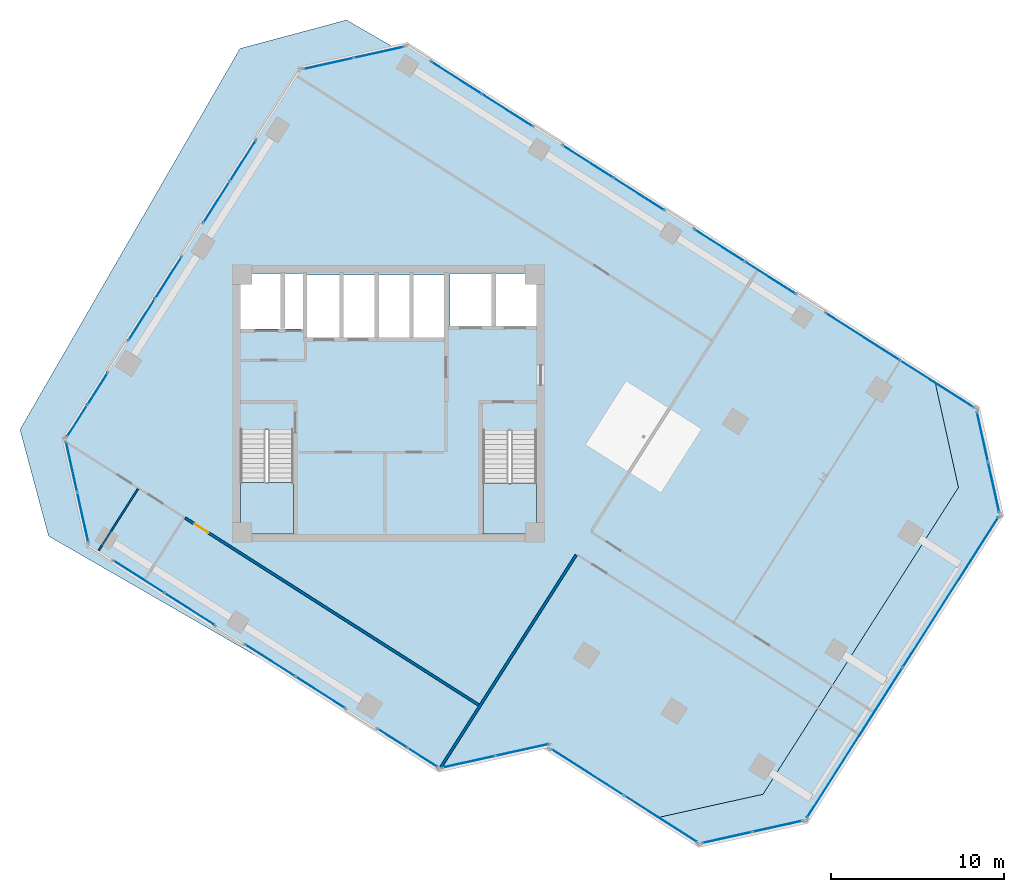
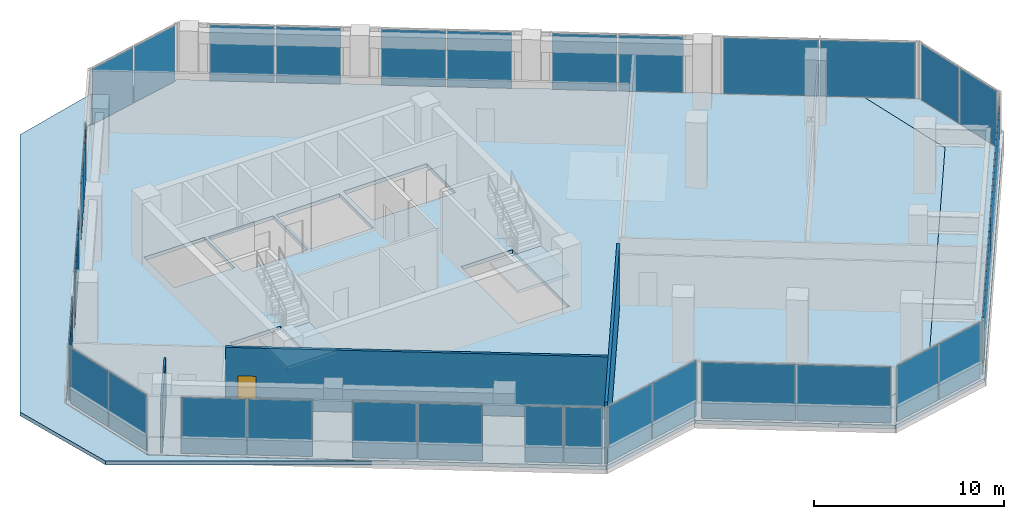
# One storey, part 17 of 23: 34 plates, 5 slabs, 3 walls, 1 door, 1 opening, 19 elements without a shape of their own.
"""IFC4 building model written with IfcOpenShell, lengths in metres."""

from ifc_helpers import new_model, si_unit, direction, frame, frame_2d, origin, origin_2d, place, context, subcontext, project, spatial, polyline, rectangle, outline, extrude, source, transform, mapped, material, layer, layer_set, type_object, element, fill, aggregate, save


model = new_model("IFC4")

# Units and contexts
model_context = context("Model", 3, precision=1e-05, world=origin(), true_north=direction((0.0, 1.0)))
body_context = subcontext(model_context, "Body", "Model", "MODEL_VIEW")
ifc_project = project(units=[si_unit("LENGTHUNIT", "METRE"), si_unit("AREAUNIT", "SQUARE_METRE"), si_unit("VOLUMEUNIT", "CUBIC_METRE"), si_unit("PLANEANGLEUNIT", "RADIAN"), si_unit("MASSUNIT", "GRAM", prefix="KILO")], contexts=[model_context])

# Site, building, storey
site_placement = place(None, origin())
site = spatial("IfcSite", under=ifc_project, at=site_placement, CompositionType="ELEMENT")
building_placement = place(site_placement, origin())
building = spatial("IfcBuilding", under=site, at=building_placement, Name="Torre Montelarca", CompositionType="ELEMENT")
storey_placement = place(building_placement, frame((0.0, 0.0, 187.60009765625)))
storey = spatial("IfcBuildingStorey", under=building, at=storey_placement, Name="L42", CompositionType="ELEMENT", Elevation=187.60009765625)

# Slabs
ifc_material_1 = material(Name="Concrete C40/50", Category="concrete")
ifc_layer_1 = layer(ifc_material_1, 0.239990234375, Name="Concrete C40/50", Category="concrete")
ifc_layer_set_1 = layer_set([ifc_layer_1], Name="Concrete C40/50")
slab_type_1 = type_object("IfcSlabType", Name="SL-FLR-240", PredefinedType="FLOOR", material=ifc_layer_set_1)
slab_1_placement = place(storey_placement, frame((0.0, 0.0, -0.239990234375)))
element("IfcSlab", 1, at=slab_1_placement, inside=storey, type_object=slab_type_1, Name="L42 Structural Floor Slab", PredefinedType="FLOOR", context=body_context, shape_type="SweptSolid", body=[
    extrude(outline(polyline([(20.9140625, 10.793701171875), (27.127197265625, 12.171142578125), (27.073486328125, 12.0869140625), (33.39892578125, 8.056884765625), (39.612060546875, 9.4345703125), (50.895263671875, 27.145751953125), (49.517822265625, 33.35888671875), (19.071533203125, 52.75537109375), (12.8583984375, 51.3779296875), (-0.7890625, 29.955810546875), (0.58837890625, 23.74267578125), (20.9140625, 10.793701171875)]), holes=[polyline([(26.550048828125, 24.449951171875), (23.43994140625, 24.449951171875), (23.43994140625, 30.429931640625), (26.550048828125, 30.429931640625), (26.550048828125, 24.449951171875)]), polyline([(9.449951171875, 24.449951171875), (9.449951171875, 30.4599609375), (12.5, 30.4599609375), (12.5, 24.449951171875), (9.449951171875, 24.449951171875)]), polyline([(17.25, 35.800048828125), (13.300048828125, 35.800048828125), (13.300048828125, 39.39990234375), (17.25, 39.39990234375), (17.25, 35.800048828125)]), polyline([(21.25, 39.39990234375), (21.25, 35.800048828125), (17.39990234375, 35.800048828125), (17.39990234375, 39.39990234375), (21.25, 39.39990234375)]), polyline([(13.1201171875, 36.300048828125), (9.449951171875, 36.300048828125), (9.449951171875, 39.5), (13.1201171875, 39.5), (13.1201171875, 36.300048828125)]), polyline([(26.60009765625, 36.449951171875), (21.550048828125, 36.449951171875), (21.550048828125, 39.5), (26.60009765625, 39.5), (26.60009765625, 36.449951171875)])]), origin(), (0.0, 0.0, 1.0), 0.239990234375),
])
slab_2_placement = place(storey_placement, frame((0.0, 0.0, -0.239990234375)))
element("IfcSlab", 2, at=slab_2_placement, inside=storey, type_object=slab_type_1, Name="L42 Sliding Tray Winter Garden Floor Slab E1", PredefinedType="FLOOR", context=body_context, shape_type="SweptSolid", body=[
    extrude(outline(polyline([(49.517822265625, 33.35888671875), (50.895263671875, 27.145751953125), (39.612060546875, 9.4345703125), (33.39892578125, 8.056884765625), (35.92919921875, 6.445068359375), (42.14208984375, 7.822509765625), (53.425537109375, 25.53369140625), (52.048095703125, 31.746826171875), (49.517822265625, 33.35888671875)])), origin(), (0.0, 0.0, 1.0), 0.239990234375),
])
ifc_material_2 = material(Name="Architectural concrete C40/50", Category="concrete")
ifc_layer_2 = layer(ifc_material_2, 0.239990234375, Name="Architectural concrete C40/50", Category="concrete")
ifc_layer_set_2 = layer_set([ifc_layer_2], Name="Architectural concrete C40/50")
slab_type_2 = type_object("IfcSlabType", Name="SL-ROOF-EXT-240", PredefinedType="ROOF", material=ifc_layer_set_2)
slab_3_placement = place(storey_placement, frame((0.0, 0.0, -0.239990234375)))
element("IfcSlab", 3, at=slab_3_placement, inside=storey, type_object=slab_type_2, Name="L41 Setback and Tray Overhang Roof Cap Slab 01", PredefinedType="ROOF", context=body_context, shape_type="SweptSolid", body=[
    extrude(outline(polyline([(0.581298828125, 23.737548828125), (-0.797607421875, 29.957275390625), (12.853515625, 51.385009765625), (18.25146484375, 52.581787109375), (15.5703125, 54.129638671875), (9.42333984375, 52.482421875), (-3.276611328125, 30.485595703125), (-1.629638671875, 24.33837890625), (11.8974609375, 16.528564453125), (0.581298828125, 23.737548828125)])), origin(), (0.0, 0.0, 1.0), 0.239990234375),
])

# Stair, slab
stair_type_1 = type_object("IfcStairType", Name="ST-CORE-ST1", PredefinedType="HALF_TURN_STAIR", material=ifc_material_1)
stair_1_placement = place(storey_placement, origin())
stair_1 = element("IfcStair", 4, at=stair_1_placement, inside=storey, type_object=stair_type_1, Name="L42 Protected Exit Stair ST1", PredefinedType="HALF_TURN_STAIR")
ifc_layer_3 = layer(ifc_material_1, 0.199951171875, Name="Concrete C40/50", Category="concrete")
ifc_layer_set_3 = layer_set([ifc_layer_3], Name="Concrete C40/50")
slab_type_3 = type_object("IfcSlabType", Name="SL-ST-LAND-ST1", PredefinedType="LANDING", material=ifc_layer_set_3)
slab_4_placement = place(storey_placement, frame((0.0, 0.0, 1.89990234375)))
slab_4 = element("IfcSlab", 5, at=slab_4_placement, type_object=slab_type_3, Name="ST1 landing 1", PredefinedType="LANDING", context=body_context, shape_type="SweptSolid", body=[
    extrude(outline(polyline([(9.449951171875, 27.419921875), (9.449951171875, 24.449951171875), (12.5, 24.449951171875), (12.5, 27.419921875), (9.449951171875, 27.419921875)])), origin(), (0.0, 0.0, 1.0), 0.199951171875),
])
aggregate(stair_1, [slab_4])

stair_type_2 = type_object("IfcStairType", Name="ST-CORE-ST2", PredefinedType="HALF_TURN_STAIR", material=ifc_material_1)
stair_2_placement = place(storey_placement, origin())
stair_2 = element("IfcStair", 6, at=stair_2_placement, inside=storey, type_object=stair_type_2, Name="L42 Protected Exit Stair ST2", PredefinedType="HALF_TURN_STAIR")
ifc_layer_4 = layer(ifc_material_1, 0.199951171875, Name="Concrete C40/50", Category="concrete")
ifc_layer_set_4 = layer_set([ifc_layer_4], Name="Concrete C40/50")
slab_type_4 = type_object("IfcSlabType", Name="SL-ST-LAND-ST2", PredefinedType="LANDING", material=ifc_layer_set_4)
slab_5_placement = place(storey_placement, frame((0.0, 0.0, 1.89990234375)))
slab_5 = element("IfcSlab", 7, at=slab_5_placement, type_object=slab_type_4, Name="ST2 landing 1", PredefinedType="LANDING", context=body_context, shape_type="SweptSolid", body=[
    extrude(outline(polyline([(23.43994140625, 27.389892578125), (23.43994140625, 24.449951171875), (26.550048828125, 24.449951171875), (26.550048828125, 27.389892578125), (23.43994140625, 27.389892578125)])), origin(), (0.0, 0.0, 1.0), 0.199951171875),
])
aggregate(stair_2, [slab_5])

# Curtain wall, plates
ifc_material_3 = material(Name="Insulated low-E laminated glass", Category="glass")
curtain_wall_type = type_object("IfcCurtainWallType", Name="CW-SYS-Z2", PredefinedType="USERDEFINED", material=ifc_material_3)
curtain_wall_1_placement = place(storey_placement, origin())
curtain_wall_1 = element("IfcCurtainWall", 8, at=curtain_wall_1_placement, inside=storey, type_object=curtain_wall_type, Name="L42 Curtain Wall Run CW-T3-L42-E05-B1", ObjectType="UNITISED GLAZING", PredefinedType="USERDEFINED")
ifc_layer_5 = layer(ifc_material_3, 0.031982421875, Name="Insulated low-E laminated glass", Category="glass")
ifc_layer_set_5 = layer_set([ifc_layer_5], Name="Insulated low-E laminated glass")
plate_type = type_object("IfcPlateType", Name="CWP-GLZ-32", PredefinedType="CURTAIN_PANEL", material=ifc_layer_set_5)
shared_shape_1 = source(origin(), body_context, "Body", "SweptSolid", [
    extrude(rectangle(XDim=2.918701171875, YDim=0.031982421875, at=origin_2d()), origin(), (0.0, 0.0, 1.0), 3.590087890625),
])
plate_1_placement = place(storey_placement, frame((37.551025390625, 6.93798828125, 0.06494140625), z_axis=(0.0, 0.0, 1.0), x_axis=(0.976290701569, 0.216463544344, 0.0)))
plate_1 = element("IfcPlate", 9, at=plate_1_placement, type_object=plate_type, Name="CW panel 1.1", PredefinedType="CURTAIN_PANEL", context=body_context, shape_type="MappedRepresentation", body=[
    mapped(shared_shape_1, transform((0.0, 0.0, 0.0), scale=1.0)),
])
plate_2_placement = place(storey_placement, frame((40.4638671875, 7.583740234375, 0.06494140625), z_axis=(0.0, 0.0, 1.0), x_axis=(0.976290701569, 0.216463544344, 0.0)))
plate_2 = element("IfcPlate", 10, at=plate_2_placement, type_object=plate_type, Name="CW panel 2.1", PredefinedType="CURTAIN_PANEL", context=body_context, shape_type="MappedRepresentation", body=[
    mapped(shared_shape_1, transform((0.0, 0.0, 0.0), scale=1.0)),
])
aggregate(curtain_wall_1, [plate_1, plate_2])

curtain_wall_2_placement = place(storey_placement, origin())
curtain_wall_2 = element("IfcCurtainWall", 11, at=curtain_wall_2_placement, inside=storey, type_object=curtain_wall_type, Name="L42 Curtain Wall Run CW-T3-L42-E07-B1", ObjectType="UNITISED GLAZING", PredefinedType="USERDEFINED")
plate_3_placement = place(storey_placement, frame((52.932861328125, 27.15576171875, 0.06494140625), z_axis=(0.0, 0.0, 1.0), x_axis=(-0.216447743923, 0.97629420471, 0.0)))
plate_3 = element("IfcPlate", 12, at=plate_3_placement, type_object=plate_type, Name="CW panel 1.1", PredefinedType="CURTAIN_PANEL", context=body_context, shape_type="MappedRepresentation", body=[
    mapped(shared_shape_1, transform((0.0, 0.0, 0.0), scale=1.0)),
])
plate_4_placement = place(storey_placement, frame((52.286865234375, 30.068603515625, 0.06494140625), z_axis=(0.0, 0.0, 1.0), x_axis=(-0.216447743923, 0.97629420471, 0.0)))
plate_4 = element("IfcPlate", 13, at=plate_4_placement, type_object=plate_type, Name="CW panel 2.1", PredefinedType="CURTAIN_PANEL", context=body_context, shape_type="MappedRepresentation", body=[
    mapped(shared_shape_1, transform((0.0, 0.0, 0.0), scale=1.0)),
])
aggregate(curtain_wall_2, [plate_3, plate_4])

curtain_wall_3_placement = place(storey_placement, origin())
curtain_wall_3 = element("IfcCurtainWall", 14, at=curtain_wall_3_placement, inside=storey, type_object=curtain_wall_type, Name="L42 Curtain Wall Run CW-T3-L42-E09-B1", ObjectType="UNITISED GLAZING", PredefinedType="USERDEFINED")
plate_5_placement = place(storey_placement, frame((17.44970703125, 52.262451171875, 0.06494140625), z_axis=(0.0, 0.0, 1.0), x_axis=(-0.97629420471, -0.216447743923, 0.0)))
plate_5 = element("IfcPlate", 15, at=plate_5_placement, type_object=plate_type, Name="CW panel 1.1", PredefinedType="CURTAIN_PANEL", context=body_context, shape_type="MappedRepresentation", body=[
    mapped(shared_shape_1, transform((0.0, 0.0, 0.0), scale=1.0)),
])
plate_6_placement = place(storey_placement, frame((14.53662109375, 51.61669921875, 0.06494140625), z_axis=(0.0, 0.0, 1.0), x_axis=(-0.97629420471, -0.216447743923, 0.0)))
plate_6 = element("IfcPlate", 16, at=plate_6_placement, type_object=plate_type, Name="CW panel 2.1", PredefinedType="CURTAIN_PANEL", context=body_context, shape_type="MappedRepresentation", body=[
    mapped(shared_shape_1, transform((0.0, 0.0, 0.0), scale=1.0)),
])
aggregate(curtain_wall_3, [plate_5, plate_6])

curtain_wall_4_placement = place(storey_placement, origin())
curtain_wall_4 = element("IfcCurtainWall", 17, at=curtain_wall_4_placement, inside=storey, type_object=curtain_wall_type, Name="L42 Curtain Wall Run CW-T3-L42-E11-B1", ObjectType="UNITISED GLAZING", PredefinedType="USERDEFINED")
plate_7_placement = place(storey_placement, frame((-0.296142578125, 28.333740234375, 0.06494140625), z_axis=(0.0, 0.0, 1.0), x_axis=(0.216447743923, -0.97629420471, 0.0)))
plate_7 = element("IfcPlate", 18, at=plate_7_placement, type_object=plate_type, Name="CW panel 1.1", PredefinedType="CURTAIN_PANEL", context=body_context, shape_type="MappedRepresentation", body=[
    mapped(shared_shape_1, transform((0.0, 0.0, 0.0), scale=1.0)),
])
plate_8_placement = place(storey_placement, frame((0.349609375, 25.4208984375, 0.06494140625), z_axis=(0.0, 0.0, 1.0), x_axis=(0.216447743923, -0.97629420471, 0.0)))
plate_8 = element("IfcPlate", 19, at=plate_8_placement, type_object=plate_type, Name="CW panel 2.1", PredefinedType="CURTAIN_PANEL", context=body_context, shape_type="MappedRepresentation", body=[
    mapped(shared_shape_1, transform((0.0, 0.0, 0.0), scale=1.0)),
])
aggregate(curtain_wall_4, [plate_7, plate_8])

curtain_wall_5_placement = place(storey_placement, origin())
curtain_wall_5 = element("IfcCurtainWall", 20, at=curtain_wall_5_placement, inside=storey, type_object=curtain_wall_type, Name="L42 Curtain Wall Run CW-T3-L42-E02-B1", ObjectType="UNITISED GLAZING", PredefinedType="USERDEFINED")
shared_shape_2 = source(origin(), body_context, "Body", "SweptSolid", [
    extrude(rectangle(XDim=3.1025390625, YDim=0.031982421875, at=origin_2d()), origin(), (0.0, 0.0, 1.0), 3.590087890625),
])
plate_9_placement = place(storey_placement, frame((22.625732421875, 11.306396484375, 0.06494140625), z_axis=(0.0, 0.0, 1.0), x_axis=(0.976297226407, 0.216434114018, 0.0)))
plate_9 = element("IfcPlate", 21, at=plate_9_placement, type_object=plate_type, Name="CW panel 1.1", PredefinedType="CURTAIN_PANEL", context=body_context, shape_type="MappedRepresentation", body=[
    mapped(shared_shape_2, transform((0.0, 0.0, 0.0), scale=1.0)),
])
plate_10_placement = place(storey_placement, frame((25.71826171875, 11.991943359375, 0.06494140625), z_axis=(0.0, 0.0, 1.0), x_axis=(0.976297226407, 0.216434114018, 0.0)))
plate_10 = element("IfcPlate", 22, at=plate_10_placement, type_object=plate_type, Name="CW panel 2.1", PredefinedType="CURTAIN_PANEL", context=body_context, shape_type="MappedRepresentation", body=[
    mapped(shared_shape_2, transform((0.0, 0.0, 0.0), scale=1.0)),
])
aggregate(curtain_wall_5, [plate_9, plate_10])

curtain_wall_6_placement = place(storey_placement, origin())
curtain_wall_6 = element("IfcCurtainWall", 23, at=curtain_wall_6_placement, inside=storey, type_object=curtain_wall_type, Name="L42 Curtain Wall Run CW-T3-L42-E10-B1", ObjectType="UNITISED GLAZING", PredefinedType="USERDEFINED")
shared_shape_3 = source(origin(), body_context, "Body", "SweptSolid", [
    extrude(rectangle(XDim=2.7724609375, YDim=0.031982421875, at=origin_2d()), origin(), (0.0, 0.0, 1.0), 3.590087890625),
])
plate_11_placement = place(storey_placement, frame((9.59326171875, 46.010498046875, 0.06494140625), z_axis=(0.0, 0.0, 1.0), x_axis=(-0.537304920578, -0.843388061525, 0.0)))
plate_11 = element("IfcPlate", 24, at=plate_11_placement, type_object=plate_type, Name="CW panel 1.1", PredefinedType="CURTAIN_PANEL", context=body_context, shape_type="MappedRepresentation", body=[
    mapped(shared_shape_3, transform((0.0, 0.0, 0.0), scale=1.0)),
])
plate_12_placement = place(storey_placement, frame((8.068603515625, 43.617431640625, 0.06494140625), z_axis=(0.0, 0.0, 1.0), x_axis=(-0.537304920578, -0.843388061525, 0.0)))
plate_12 = element("IfcPlate", 25, at=plate_12_placement, type_object=plate_type, Name="CW panel 2.1", PredefinedType="CURTAIN_PANEL", context=body_context, shape_type="MappedRepresentation", body=[
    mapped(shared_shape_3, transform((0.0, 0.0, 0.0), scale=1.0)),
])
aggregate(curtain_wall_6, [plate_11, plate_12])

curtain_wall_7_placement = place(storey_placement, origin())
curtain_wall_7 = element("IfcCurtainWall", 26, at=curtain_wall_7_placement, inside=storey, type_object=curtain_wall_type, Name="L42 Curtain Wall Run CW-T3-L42-E10-B2", ObjectType="UNITISED GLAZING", PredefinedType="USERDEFINED")
shared_shape_4 = source(origin(), body_context, "Body", "SweptSolid", [
    extrude(rectangle(XDim=2.81005859375, YDim=0.031982421875, at=origin_2d()), origin(), (0.0, 0.0, 1.0), 3.590087890625),
])
plate_13_placement = place(storey_placement, frame((5.28466796875, 39.24755859375, 0.06494140625), z_axis=(0.0, 0.0, 1.0), x_axis=(-0.537301604651, -0.843390174023, 0.0)))
plate_13 = element("IfcPlate", 27, at=plate_13_placement, type_object=plate_type, Name="CW panel 1.1", PredefinedType="CURTAIN_PANEL", context=body_context, shape_type="MappedRepresentation", body=[
    mapped(shared_shape_4, transform((0.0, 0.0, 0.0), scale=1.0)),
])
plate_14_placement = place(storey_placement, frame((3.739990234375, 36.82275390625, 0.06494140625), z_axis=(0.0, 0.0, 1.0), x_axis=(-0.537301604651, -0.843390174023, 0.0)))
plate_14 = element("IfcPlate", 28, at=plate_14_placement, type_object=plate_type, Name="CW panel 2.1", PredefinedType="CURTAIN_PANEL", context=body_context, shape_type="MappedRepresentation", body=[
    mapped(shared_shape_4, transform((0.0, 0.0, 0.0), scale=1.0)),
])
aggregate(curtain_wall_7, [plate_13, plate_14])

curtain_wall_8_placement = place(storey_placement, origin())
curtain_wall_8 = element("IfcCurtainWall", 29, at=curtain_wall_8_placement, inside=storey, type_object=curtain_wall_type, Name="L42 Curtain Wall Run CW-T3-L42-E08-B2", ObjectType="UNITISED GLAZING", PredefinedType="USERDEFINED")
shared_shape_5 = source(origin(), body_context, "Body", "SweptSolid", [
    extrude(rectangle(XDim=3.422607421875, YDim=0.031982421875, at=origin_2d()), origin(), (0.0, 0.0, 1.0), 3.590087890625),
])
plate_15_placement = place(storey_placement, frame((40.0390625, 39.243408203125, 0.06494140625), z_axis=(0.0, 0.0, 1.0), x_axis=(-0.843391746638, 0.537299136145, 0.0)))
plate_15 = element("IfcPlate", 30, at=plate_15_placement, type_object=plate_type, Name="CW panel 1.1", PredefinedType="CURTAIN_PANEL", context=body_context, shape_type="MappedRepresentation", body=[
    mapped(shared_shape_5, transform((0.0, 0.0, 0.0), scale=1.0)),
])
plate_16_placement = place(storey_placement, frame((37.09765625, 41.1171875, 0.06494140625), z_axis=(0.0, 0.0, 1.0), x_axis=(-0.843391746638, 0.537299136145, 0.0)))
plate_16 = element("IfcPlate", 31, at=plate_16_placement, type_object=plate_type, Name="CW panel 2.1", PredefinedType="CURTAIN_PANEL", context=body_context, shape_type="MappedRepresentation", body=[
    mapped(shared_shape_5, transform((0.0, 0.0, 0.0), scale=1.0)),
])
aggregate(curtain_wall_8, [plate_15, plate_16])

curtain_wall_9_placement = place(storey_placement, origin())
curtain_wall_9 = element("IfcCurtainWall", 32, at=curtain_wall_9_placement, inside=storey, type_object=curtain_wall_type, Name="L42 Curtain Wall Run CW-T3-L42-E01-B2", ObjectType="UNITISED GLAZING", PredefinedType="USERDEFINED")
shared_shape_6 = source(origin(), body_context, "Body", "SweptSolid", [
    extrude(rectangle(XDim=3.385009765625, YDim=0.031982421875, at=origin_2d()), origin(), (0.0, 0.0, 1.0), 3.590087890625),
])
plate_17_placement = place(storey_placement, frame((11.14794921875, 17.169677734375, 0.06494140625), z_axis=(0.0, 0.0, 1.0), x_axis=(0.843390022649, -0.53730184226, 0.0)))
plate_17 = element("IfcPlate", 33, at=plate_17_placement, type_object=plate_type, Name="CW panel 1.1", PredefinedType="CURTAIN_PANEL", context=body_context, shape_type="MappedRepresentation", body=[
    mapped(shared_shape_6, transform((0.0, 0.0, 0.0), scale=1.0)),
])
plate_18_placement = place(storey_placement, frame((14.0576171875, 15.31591796875, 0.06494140625), z_axis=(0.0, 0.0, 1.0), x_axis=(0.843390022649, -0.53730184226, 0.0)))
plate_18 = element("IfcPlate", 34, at=plate_18_placement, type_object=plate_type, Name="CW panel 2.1", PredefinedType="CURTAIN_PANEL", context=body_context, shape_type="MappedRepresentation", body=[
    mapped(shared_shape_6, transform((0.0, 0.0, 0.0), scale=1.0)),
])
aggregate(curtain_wall_9, [plate_17, plate_18])

curtain_wall_10_placement = place(storey_placement, origin())
curtain_wall_10 = element("IfcCurtainWall", 35, at=curtain_wall_10_placement, inside=storey, type_object=curtain_wall_type, Name="L42 Curtain Wall Run CW-T3-L42-E01-B3", ObjectType="UNITISED GLAZING", PredefinedType="USERDEFINED")
shared_shape_7 = source(origin(), body_context, "Body", "SweptSolid", [
    extrude(rectangle(XDim=1.9921875, YDim=0.031982421875, at=origin_2d()), origin(), (0.0, 0.0, 1.0), 3.590087890625),
])
plate_19_placement = place(storey_placement, frame((18.21435546875, 12.667724609375, 0.06494140625), z_axis=(0.0, 0.0, 1.0), x_axis=(0.843389445077, -0.537302748861, 0.0)))
plate_19 = element("IfcPlate", 36, at=plate_19_placement, type_object=plate_type, Name="CW panel 1.1", PredefinedType="CURTAIN_PANEL", context=body_context, shape_type="MappedRepresentation", body=[
    mapped(shared_shape_7, transform((0.0, 0.0, 0.0), scale=1.0)),
])
plate_20_placement = place(storey_placement, frame((19.94921875, 11.5625, 0.06494140625), z_axis=(0.0, 0.0, 1.0), x_axis=(0.843389445077, -0.537302748861, 0.0)))
plate_20 = element("IfcPlate", 37, at=plate_20_placement, type_object=plate_type, Name="CW panel 2.1", PredefinedType="CURTAIN_PANEL", context=body_context, shape_type="MappedRepresentation", body=[
    mapped(shared_shape_7, transform((0.0, 0.0, 0.0), scale=1.0)),
])
aggregate(curtain_wall_10, [plate_19, plate_20])

curtain_wall_11_placement = place(storey_placement, origin())
curtain_wall_11 = element("IfcCurtainWall", 38, at=curtain_wall_11_placement, inside=storey, type_object=curtain_wall_type, Name="L42 Curtain Wall Run CW-T3-L42-E06-B1", ObjectType="UNITISED GLAZING", PredefinedType="USERDEFINED")
shared_shape_8 = source(origin(), body_context, "Body", "SweptSolid", [
    extrude(rectangle(XDim=10.23681640625, YDim=0.031982421875, at=origin_2d()), origin(), (0.0, 0.0, 1.0), 3.590087890625),
])
plate_21_placement = place(storey_placement, frame((44.90673828125, 12.40380859375, 0.06494140625), z_axis=(0.0, 0.0, 1.0), x_axis=(0.53730338538, 0.843389039566, 0.0)))
plate_21 = element("IfcPlate", 39, at=plate_21_placement, type_object=plate_type, Name="CW panel 1.1", PredefinedType="CURTAIN_PANEL", context=body_context, shape_type="MappedRepresentation", body=[
    mapped(shared_shape_8, transform((0.0, 0.0, 0.0), scale=1.0)),
])
plate_22_placement = place(storey_placement, frame((50.441650390625, 21.09228515625, 0.06494140625), z_axis=(0.0, 0.0, 1.0), x_axis=(0.53730338538, 0.843389039566, 0.0)))
plate_22 = element("IfcPlate", 40, at=plate_22_placement, type_object=plate_type, Name="CW panel 2.1", PredefinedType="CURTAIN_PANEL", context=body_context, shape_type="MappedRepresentation", body=[
    mapped(shared_shape_8, transform((0.0, 0.0, 0.0), scale=1.0)),
])
aggregate(curtain_wall_11, [plate_21, plate_22])

curtain_wall_12_placement = place(storey_placement, origin())
curtain_wall_12 = element("IfcCurtainWall", 41, at=curtain_wall_12_placement, inside=storey, type_object=curtain_wall_type, Name="L42 Curtain Wall Run CW-T3-L42-E08-B1", ObjectType="UNITISED GLAZING", PredefinedType="USERDEFINED")
shared_shape_9 = source(origin(), body_context, "Body", "SweptSolid", [
    extrude(rectangle(XDim=5.029541015625, YDim=0.031982421875, at=origin_2d()), origin(), (0.0, 0.0, 1.0), 3.590087890625),
])
plate_23_placement = place(storey_placement, frame((49.66259765625, 33.112548828125, 0.06494140625), z_axis=(0.0, 0.0, 1.0), x_axis=(-0.843390329365, 0.537301360815, 0.0)))
plate_23 = element("IfcPlate", 42, at=plate_23_placement, type_object=plate_type, Name="CW panel 1.1", PredefinedType="CURTAIN_PANEL", context=body_context, shape_type="MappedRepresentation", body=[
    mapped(shared_shape_9, transform((0.0, 0.0, 0.0), scale=1.0)),
])
plate_24_placement = place(storey_placement, frame((45.365966796875, 35.849853515625, 0.06494140625), z_axis=(0.0, 0.0, 1.0), x_axis=(-0.843390329365, 0.537301360815, 0.0)))
plate_24 = element("IfcPlate", 43, at=plate_24_placement, type_object=plate_type, Name="CW panel 2.1", PredefinedType="CURTAIN_PANEL", context=body_context, shape_type="MappedRepresentation", body=[
    mapped(shared_shape_9, transform((0.0, 0.0, 0.0), scale=1.0)),
])
aggregate(curtain_wall_12, [plate_23, plate_24])

curtain_wall_13_placement = place(storey_placement, origin())
curtain_wall_13 = element("IfcCurtainWall", 44, at=curtain_wall_13_placement, inside=storey, type_object=curtain_wall_type, Name="L42 Curtain Wall Run CW-T3-L42-E01-B1", ObjectType="UNITISED GLAZING", PredefinedType="USERDEFINED")
shared_shape_10 = source(origin(), body_context, "Body", "SweptSolid", [
    extrude(rectangle(XDim=3.42236328125, YDim=0.031982421875, at=origin_2d()), origin(), (0.0, 0.0, 1.0), 3.590087890625),
])
plate_25_placement = place(storey_placement, frame((3.5732421875, 21.9951171875, 0.06494140625), z_axis=(0.0, 0.0, 1.0), x_axis=(0.843387645866, -0.537305573022, 0.0)))
plate_25 = element("IfcPlate", 45, at=plate_25_placement, type_object=plate_type, Name="CW panel 1.1", PredefinedType="CURTAIN_PANEL", context=body_context, shape_type="MappedRepresentation", body=[
    mapped(shared_shape_10, transform((0.0, 0.0, 0.0), scale=1.0)),
])
plate_26_placement = place(storey_placement, frame((6.5146484375, 20.121337890625, 0.06494140625), z_axis=(0.0, 0.0, 1.0), x_axis=(0.843387645866, -0.537305573022, 0.0)))
plate_26 = element("IfcPlate", 46, at=plate_26_placement, type_object=plate_type, Name="CW panel 2.1", PredefinedType="CURTAIN_PANEL", context=body_context, shape_type="MappedRepresentation", body=[
    mapped(shared_shape_10, transform((0.0, 0.0, 0.0), scale=1.0)),
])
aggregate(curtain_wall_13, [plate_25, plate_26])

curtain_wall_14_placement = place(storey_placement, origin())
curtain_wall_14 = element("IfcCurtainWall", 47, at=curtain_wall_14_placement, inside=storey, type_object=curtain_wall_type, Name="L42 Curtain Wall Run CW-T3-L42-E08-B3", ObjectType="UNITISED GLAZING", PredefinedType="USERDEFINED")
plate_27_placement = place(storey_placement, frame((32.448486328125, 44.0791015625, 0.06494140625), z_axis=(0.0, 0.0, 1.0), x_axis=(-0.843387645866, 0.537305573022, 0.0)))
plate_27 = element("IfcPlate", 48, at=plate_27_placement, type_object=plate_type, Name="CW panel 1.1", PredefinedType="CURTAIN_PANEL", context=body_context, shape_type="MappedRepresentation", body=[
    mapped(shared_shape_10, transform((0.0, 0.0, 0.0), scale=1.0)),
])
plate_28_placement = place(storey_placement, frame((29.507080078125, 45.952880859375, 0.06494140625), z_axis=(0.0, 0.0, 1.0), x_axis=(-0.843387645866, 0.537305573022, 0.0)))
plate_28 = element("IfcPlate", 49, at=plate_28_placement, type_object=plate_type, Name="CW panel 2.1", PredefinedType="CURTAIN_PANEL", context=body_context, shape_type="MappedRepresentation", body=[
    mapped(shared_shape_10, transform((0.0, 0.0, 0.0), scale=1.0)),
])
aggregate(curtain_wall_14, [plate_27, plate_28])

curtain_wall_15_placement = place(storey_placement, origin())
curtain_wall_15 = element("IfcCurtainWall", 50, at=curtain_wall_15_placement, inside=storey, type_object=curtain_wall_type, Name="L42 Curtain Wall Run CW-T3-L42-E08-B4", ObjectType="UNITISED GLAZING", PredefinedType="USERDEFINED")
plate_29_placement = place(storey_placement, frame((24.85791015625, 48.914794921875, 0.06494140625), z_axis=(0.0, 0.0, 1.0), x_axis=(-0.843387645866, 0.537305573022, 0.0)))
plate_29 = element("IfcPlate", 51, at=plate_29_placement, type_object=plate_type, Name="CW panel 1.1", PredefinedType="CURTAIN_PANEL", context=body_context, shape_type="MappedRepresentation", body=[
    mapped(shared_shape_10, transform((0.0, 0.0, 0.0), scale=1.0)),
])
plate_30_placement = place(storey_placement, frame((21.916748046875, 50.78857421875, 0.06494140625), z_axis=(0.0, 0.0, 1.0), x_axis=(-0.843387645866, 0.537305573022, 0.0)))
plate_30 = element("IfcPlate", 52, at=plate_30_placement, type_object=plate_type, Name="CW panel 2.1", PredefinedType="CURTAIN_PANEL", context=body_context, shape_type="MappedRepresentation", body=[
    mapped(shared_shape_10, transform((0.0, 0.0, 0.0), scale=1.0)),
])
aggregate(curtain_wall_15, [plate_29, plate_30])

curtain_wall_16_placement = place(storey_placement, origin())
curtain_wall_16 = element("IfcCurtainWall", 53, at=curtain_wall_16_placement, inside=storey, type_object=curtain_wall_type, Name="L42 Curtain Wall Run CW-T3-L42-E10-B3", ObjectType="UNITISED GLAZING", PredefinedType="USERDEFINED")
shared_shape_11 = source(origin(), body_context, "Body", "SweptSolid", [
    extrude(rectangle(XDim=2.14208984375, YDim=0.031982421875, at=origin_2d()), origin(), (0.0, 0.0, 1.0), 3.590087890625),
])
plate_31_placement = place(storey_placement, frame((1.2060546875, 32.845458984375, 0.06494140625), z_axis=(0.0, 0.0, 1.0), x_axis=(-0.537295792178, -0.843393876969, 0.0)))
plate_31 = element("IfcPlate", 54, at=plate_31_placement, type_object=plate_type, Name="CW panel 1.1", PredefinedType="CURTAIN_PANEL", context=body_context, shape_type="MappedRepresentation", body=[
    mapped(shared_shape_11, transform((0.0, 0.0, 0.0), scale=1.0)),
])
plate_32_placement = place(storey_placement, frame((0.02001953125, 30.98388671875, 0.06494140625), z_axis=(0.0, 0.0, 1.0), x_axis=(-0.537295792178, -0.843393876969, 0.0)))
plate_32 = element("IfcPlate", 55, at=plate_32_placement, type_object=plate_type, Name="CW panel 2.1", PredefinedType="CURTAIN_PANEL", context=body_context, shape_type="MappedRepresentation", body=[
    mapped(shared_shape_11, transform((0.0, 0.0, 0.0), scale=1.0)),
])
aggregate(curtain_wall_16, [plate_31, plate_32])

curtain_wall_17_placement = place(storey_placement, origin())
curtain_wall_17 = element("IfcCurtainWall", 56, at=curtain_wall_17_placement, inside=storey, type_object=curtain_wall_type, Name="L42 Curtain Wall Run CW-T3-L42-E04-B1", ObjectType="UNITISED GLAZING", PredefinedType="USERDEFINED")
shared_shape_12 = source(origin(), body_context, "Body", "SweptSolid", [
    extrude(rectangle(XDim=4.94873046875, YDim=0.031982421875, at=origin_2d()), origin(), (0.0, 0.0, 1.0), 3.590087890625),
])
plate_33_placement = place(storey_placement, frame((29.489013671875, 10.7021484375, 0.06494140625), z_axis=(0.0, 0.0, 1.0), x_axis=(0.843384752771, -0.537310114174, 0.0)))
plate_33 = element("IfcPlate", 57, at=plate_33_placement, type_object=plate_type, Name="CW panel 1.1", PredefinedType="CURTAIN_PANEL", context=body_context, shape_type="MappedRepresentation", body=[
    mapped(shared_shape_12, transform((0.0, 0.0, 0.0), scale=1.0)),
])
plate_34_placement = place(storey_placement, frame((33.717529296875, 8.00830078125, 0.06494140625), z_axis=(0.0, 0.0, 1.0), x_axis=(0.843384752771, -0.537310114174, 0.0)))
plate_34 = element("IfcPlate", 58, at=plate_34_placement, type_object=plate_type, Name="CW panel 2.1", PredefinedType="CURTAIN_PANEL", context=body_context, shape_type="MappedRepresentation", body=[
    mapped(shared_shape_12, transform((0.0, 0.0, 0.0), scale=1.0)),
])
aggregate(curtain_wall_17, [plate_33, plate_34])

# Wall, opening, door
ifc_material_4 = material(Name="Gypsum plasterboard on steel stud", Category="steel")
ifc_layer_6 = layer(ifc_material_4, 0.159912109375, Name="Gypsum plasterboard on steel stud", Category="steel")
ifc_layer_set_6 = layer_set([ifc_layer_6], Name="Gypsum plasterboard on steel stud")
wall_type_1 = type_object("IfcWallType", Name="PW-FIRE-160", PredefinedType="PARTITIONING", material=ifc_layer_set_6)
wall_1_placement = place(storey_placement, frame((6.24951171875, 25.388916015625, 0.0), z_axis=(0.0, 0.0, 1.0), x_axis=(0.843390478307, -0.537301127024, 0.0)))
wall_1 = element("IfcWall", 59, at=wall_1_placement, inside=storey, type_object=wall_type_1, Name="L42 Interior Partition W-L42-SOCCN", PredefinedType="PARTITIONING", context=body_context, shape_type="SweptSolid", body=[
    extrude(rectangle(XDim=20.150146484375, YDim=0.159912109375, at=frame_2d((10.0751953125, 0.0))), origin(), (0.0, 0.0, 1.0), 3.9599609375),
])
opening_placement = place(wall_1_placement, frame((0.64990234375, 0.0, 0.0)))
opening = element("IfcOpeningElement", 60, at=opening_placement, cuts=wall_1, Name="Opening FD-095", PredefinedType="OPENING", context=body_context, shape_type="SweptSolid", body=[
    extrude(rectangle(XDim=0.949951171875, YDim=2.14990234375, at=frame_2d((0.47509765625, 1.074951171875))), frame((0.0, 0.08984375, 0.0), z_axis=(0.0, -1.0, 0.0), x_axis=(1.0, 0.0, 0.0)), (0.0, 0.0, 1.0), 0.179931640625),
])
ifc_material_5 = material(Name="Timber fire-rated room door", Category="wood")
door_type = type_object("IfcDoorType", Name="DR-FIRE-095", OperationType="NOTDEFINED", PredefinedType="DOOR", material=ifc_material_5)
shared_shape_13 = source(origin(), body_context, "Body", "SweptSolid", [
    extrude(rectangle(XDim=0.949951171875, YDim=2.14990234375, at=frame_2d((0.47509765625, 1.074951171875))), frame((0.0, 0.02490234375, 0.0), z_axis=(0.0, -1.0, 0.0), x_axis=(1.0, 0.0, 0.0)), (0.0, 0.0, 1.0), 0.050048828125),
])
door_placement = place(opening_placement, origin())
door = element("IfcDoor", 61, at=door_placement, inside=storey, type_object=door_type, Name="L42 Interior Door 06", OperationType="SINGLE_SWING_RIGHT", OverallHeight=2.14990234375, OverallWidth=0.949951171875, PredefinedType="DOOR", context=body_context, shape_type="MappedRepresentation", body=[
    mapped(shared_shape_13, transform((0.0, 0.0, 0.0), scale=1.0)),
])
fill(opening, door)

# Walls
wall_2_placement = place(storey_placement, frame((21.014404296875, 10.98828125, 0.0), z_axis=(0.0, 0.0, 1.0), x_axis=(0.537301260837, 0.843390393058, 0.0)))
element("IfcWall", 62, at=wall_2_placement, inside=storey, type_object=wall_type_1, Name="L42 Interior Partition W-L42-ECS", PredefinedType="PARTITIONING", context=body_context, shape_type="SweptSolid", body=[
    extrude(rectangle(XDim=14.5419921875, YDim=0.159912109375, at=frame_2d((7.27099609375, 0.0))), origin(), (0.0, 0.0, 1.0), 3.9599609375),
])
ifc_material_6 = material(Name="Acoustic laminated glass partition", Category="glass")
ifc_layer_7 = layer(ifc_material_6, 0.10009765625, Name="Acoustic laminated glass partition", Category="glass")
ifc_layer_set_7 = layer_set([ifc_layer_7], Name="Acoustic laminated glass partition")
wall_type_2 = type_object("IfcWallType", Name="PW-GLAZ-100", PredefinedType="PARTITIONING", material=ifc_layer_set_7)
wall_3_placement = place(storey_placement, frame((1.275390625, 23.518310546875, 0.0), z_axis=(0.0, 0.0, 1.0), x_axis=(0.537318174822, 0.843379617376, 0.0)))
element("IfcWall", 63, at=wall_3_placement, inside=storey, type_object=wall_type_2, Name="L42 Interior Partition W-L42-WCD", PredefinedType="PARTITIONING", context=body_context, shape_type="SweptSolid", body=[
    extrude(rectangle(XDim=4.210205078125, YDim=0.10009765625, at=frame_2d((2.10498046875, 0.0))), origin(), (0.0, 0.0, 1.0), 3.19482421875),
])

save(model, "model.ifc")
